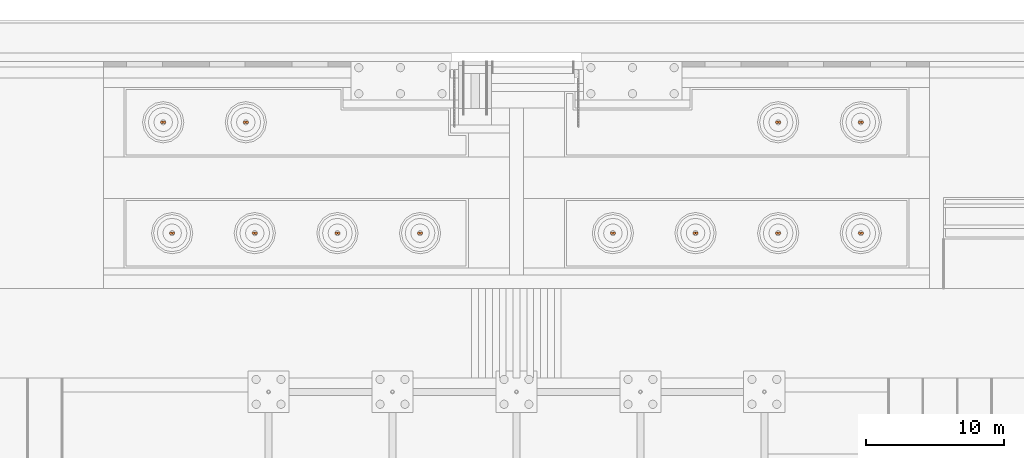
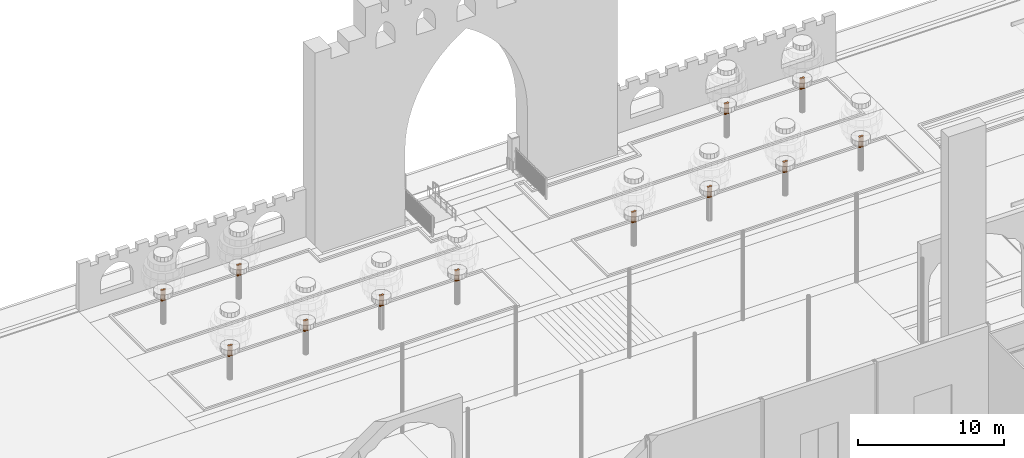
# One storey, part 250 of 250: 24 geographic elements.
"""IFC4 building model written with IfcOpenShell, lengths in metres."""

from ifc_helpers import new_model, si_unit, direction, frame, origin, place, context, subcontext, project, spatial, polyline, outline, extrude, material, type_object, element, save


model = new_model("IFC4")

# Units and contexts
model_context = context("Model", 3, precision=1e-05, world=origin(), true_north=direction((0.0, 1.0)))
body_context = subcontext(model_context, "Body", "Model", "MODEL_VIEW")
ifc_project = project(units=[si_unit("LENGTHUNIT", "METRE"), si_unit("AREAUNIT", "SQUARE_METRE"), si_unit("VOLUMEUNIT", "CUBIC_METRE"), si_unit("PLANEANGLEUNIT", "RADIAN"), si_unit("MASSUNIT", "GRAM", prefix="KILO")], contexts=[model_context])

# Site, building, storey
site_placement = place(None, origin())
site = spatial("IfcSite", under=ifc_project, at=site_placement, CompositionType="ELEMENT")
building_placement = place(site_placement, origin())
building = spatial("IfcBuilding", under=site, at=building_placement, Name="Baradari Gate Terminus", CompositionType="ELEMENT")
storey_placement = place(building_placement, origin())
storey = spatial("IfcBuildingStorey", under=building, at=storey_placement, Name="L00", CompositionType="ELEMENT", Elevation=0.0)

# Geographic elements
ifc_material = material(Name="Timber, hardwood", Category="wood")
geographic_element_type = type_object("IfcGeographicElementType", Name="Garden tree limb TR-12 200x900", PredefinedType="USERDEFINED", material=ifc_material)
geographic_element_1_placement = place(storey_placement, frame((0.0, 0.0, 1.89990234375)))
element("IfcGeographicElement", 1, at=geographic_element_1_placement, inside=storey, type_object=geographic_element_type, Name="Garden tree 1 limb 1", ObjectType="TREE", PredefinedType="USERDEFINED", context=body_context, shape_type="SweptSolid", body=[
    extrude(outline(polyline([(128.010009765625, 137.52490234375), (128.00244140625, 137.563232421875), (127.980712890625, 137.595703125), (127.9482421875, 137.617431640625), (127.909912109375, 137.625), (127.871826171875, 137.617431640625), (127.83935546875, 137.595703125), (127.817626953125, 137.563232421875), (127.81005859375, 137.52490234375), (127.817626953125, 137.48681640625), (127.83935546875, 137.454345703125), (127.871826171875, 137.4326171875), (127.909912109375, 137.425048828125), (127.9482421875, 137.4326171875), (127.980712890625, 137.454345703125), (128.00244140625, 137.48681640625), (128.010009765625, 137.52490234375)])), origin(), (0.0, 0.0, 1.0), 0.900146484375),
])
geographic_element_2_placement = place(storey_placement, frame((0.0, 0.0, 1.89990234375)))
element("IfcGeographicElement", 2, at=geographic_element_2_placement, inside=storey, type_object=geographic_element_type, Name="Garden tree 1 limb 2", ObjectType="TREE", PredefinedType="USERDEFINED", context=body_context, shape_type="SweptSolid", body=[
    extrude(outline(polyline([(128.18994140625, 137.52490234375), (128.182373046875, 137.563232421875), (128.16064453125, 137.595703125), (128.128173828125, 137.617431640625), (128.090087890625, 137.625), (128.0517578125, 137.617431640625), (128.019287109375, 137.595703125), (127.99755859375, 137.563232421875), (127.989990234375, 137.52490234375), (127.99755859375, 137.48681640625), (128.019287109375, 137.454345703125), (128.0517578125, 137.4326171875), (128.090087890625, 137.425048828125), (128.128173828125, 137.4326171875), (128.16064453125, 137.454345703125), (128.182373046875, 137.48681640625), (128.18994140625, 137.52490234375)])), origin(), (0.0, 0.0, 1.0), 0.900146484375),
])
geographic_element_3_placement = place(storey_placement, frame((0.0, 0.0, 1.89990234375)))
element("IfcGeographicElement", 3, at=geographic_element_3_placement, inside=storey, type_object=geographic_element_type, Name="Garden tree 2 limb 1", ObjectType="TREE", PredefinedType="USERDEFINED", context=body_context, shape_type="SweptSolid", body=[
    extrude(outline(polyline([(134.010009765625, 137.52490234375), (134.00244140625, 137.563232421875), (133.980712890625, 137.595703125), (133.9482421875, 137.617431640625), (133.909912109375, 137.625), (133.871826171875, 137.617431640625), (133.83935546875, 137.595703125), (133.817626953125, 137.563232421875), (133.81005859375, 137.52490234375), (133.817626953125, 137.48681640625), (133.83935546875, 137.454345703125), (133.871826171875, 137.4326171875), (133.909912109375, 137.425048828125), (133.9482421875, 137.4326171875), (133.980712890625, 137.454345703125), (134.00244140625, 137.48681640625), (134.010009765625, 137.52490234375)])), origin(), (0.0, 0.0, 1.0), 0.900146484375),
])
geographic_element_4_placement = place(storey_placement, frame((0.0, 0.0, 1.89990234375)))
element("IfcGeographicElement", 4, at=geographic_element_4_placement, inside=storey, type_object=geographic_element_type, Name="Garden tree 2 limb 2", ObjectType="TREE", PredefinedType="USERDEFINED", context=body_context, shape_type="SweptSolid", body=[
    extrude(outline(polyline([(134.18994140625, 137.52490234375), (134.182373046875, 137.563232421875), (134.16064453125, 137.595703125), (134.128173828125, 137.617431640625), (134.090087890625, 137.625), (134.0517578125, 137.617431640625), (134.019287109375, 137.595703125), (133.99755859375, 137.563232421875), (133.989990234375, 137.52490234375), (133.99755859375, 137.48681640625), (134.019287109375, 137.454345703125), (134.0517578125, 137.4326171875), (134.090087890625, 137.425048828125), (134.128173828125, 137.4326171875), (134.16064453125, 137.454345703125), (134.182373046875, 137.48681640625), (134.18994140625, 137.52490234375)])), origin(), (0.0, 0.0, 1.0), 0.900146484375),
])
geographic_element_5_placement = place(storey_placement, frame((0.0, 0.0, 1.89990234375)))
element("IfcGeographicElement", 5, at=geographic_element_5_placement, inside=storey, type_object=geographic_element_type, Name="Garden tree 3 limb 1", ObjectType="TREE", PredefinedType="USERDEFINED", context=body_context, shape_type="SweptSolid", body=[
    extrude(outline(polyline([(140.010009765625, 137.52490234375), (140.00244140625, 137.563232421875), (139.980712890625, 137.595703125), (139.9482421875, 137.617431640625), (139.909912109375, 137.625), (139.871826171875, 137.617431640625), (139.83935546875, 137.595703125), (139.817626953125, 137.563232421875), (139.81005859375, 137.52490234375), (139.817626953125, 137.48681640625), (139.83935546875, 137.454345703125), (139.871826171875, 137.4326171875), (139.909912109375, 137.425048828125), (139.9482421875, 137.4326171875), (139.980712890625, 137.454345703125), (140.00244140625, 137.48681640625), (140.010009765625, 137.52490234375)])), origin(), (0.0, 0.0, 1.0), 0.900146484375),
])
geographic_element_6_placement = place(storey_placement, frame((0.0, 0.0, 1.89990234375)))
element("IfcGeographicElement", 6, at=geographic_element_6_placement, inside=storey, type_object=geographic_element_type, Name="Garden tree 3 limb 2", ObjectType="TREE", PredefinedType="USERDEFINED", context=body_context, shape_type="SweptSolid", body=[
    extrude(outline(polyline([(140.18994140625, 137.52490234375), (140.182373046875, 137.563232421875), (140.16064453125, 137.595703125), (140.128173828125, 137.617431640625), (140.090087890625, 137.625), (140.0517578125, 137.617431640625), (140.019287109375, 137.595703125), (139.99755859375, 137.563232421875), (139.989990234375, 137.52490234375), (139.99755859375, 137.48681640625), (140.019287109375, 137.454345703125), (140.0517578125, 137.4326171875), (140.090087890625, 137.425048828125), (140.128173828125, 137.4326171875), (140.16064453125, 137.454345703125), (140.182373046875, 137.48681640625), (140.18994140625, 137.52490234375)])), origin(), (0.0, 0.0, 1.0), 0.900146484375),
])
geographic_element_7_placement = place(storey_placement, frame((0.0, 0.0, 1.89990234375)))
element("IfcGeographicElement", 7, at=geographic_element_7_placement, inside=storey, type_object=geographic_element_type, Name="Garden tree 4 limb 1", ObjectType="TREE", PredefinedType="USERDEFINED", context=body_context, shape_type="SweptSolid", body=[
    extrude(outline(polyline([(146.010009765625, 137.52490234375), (146.00244140625, 137.563232421875), (145.980712890625, 137.595703125), (145.9482421875, 137.617431640625), (145.909912109375, 137.625), (145.871826171875, 137.617431640625), (145.83935546875, 137.595703125), (145.817626953125, 137.563232421875), (145.81005859375, 137.52490234375), (145.817626953125, 137.48681640625), (145.83935546875, 137.454345703125), (145.871826171875, 137.4326171875), (145.909912109375, 137.425048828125), (145.9482421875, 137.4326171875), (145.980712890625, 137.454345703125), (146.00244140625, 137.48681640625), (146.010009765625, 137.52490234375)])), origin(), (0.0, 0.0, 1.0), 0.900146484375),
])
geographic_element_8_placement = place(storey_placement, frame((0.0, 0.0, 1.89990234375)))
element("IfcGeographicElement", 8, at=geographic_element_8_placement, inside=storey, type_object=geographic_element_type, Name="Garden tree 4 limb 2", ObjectType="TREE", PredefinedType="USERDEFINED", context=body_context, shape_type="SweptSolid", body=[
    extrude(outline(polyline([(146.18994140625, 137.52490234375), (146.182373046875, 137.563232421875), (146.16064453125, 137.595703125), (146.128173828125, 137.617431640625), (146.090087890625, 137.625), (146.0517578125, 137.617431640625), (146.019287109375, 137.595703125), (145.99755859375, 137.563232421875), (145.989990234375, 137.52490234375), (145.99755859375, 137.48681640625), (146.019287109375, 137.454345703125), (146.0517578125, 137.4326171875), (146.090087890625, 137.425048828125), (146.128173828125, 137.4326171875), (146.16064453125, 137.454345703125), (146.182373046875, 137.48681640625), (146.18994140625, 137.52490234375)])), origin(), (0.0, 0.0, 1.0), 0.900146484375),
])
geographic_element_9_placement = place(storey_placement, frame((0.0, 0.0, 1.89990234375)))
element("IfcGeographicElement", 9, at=geographic_element_9_placement, inside=storey, type_object=geographic_element_type, Name="Garden tree 5 limb 1", ObjectType="TREE", PredefinedType="USERDEFINED", context=body_context, shape_type="SweptSolid", body=[
    extrude(outline(polyline([(127.360107421875, 145.574951171875), (127.352294921875, 145.61328125), (127.330810546875, 145.645751953125), (127.29833984375, 145.66748046875), (127.260009765625, 145.675048828125), (127.2216796875, 145.66748046875), (127.189208984375, 145.645751953125), (127.167724609375, 145.61328125), (127.159912109375, 145.574951171875), (127.167724609375, 145.53662109375), (127.189208984375, 145.50439453125), (127.2216796875, 145.482666015625), (127.260009765625, 145.47509765625), (127.29833984375, 145.482666015625), (127.330810546875, 145.50439453125), (127.352294921875, 145.53662109375), (127.360107421875, 145.574951171875)])), origin(), (0.0, 0.0, 1.0), 0.900146484375),
])
geographic_element_10_placement = place(storey_placement, frame((0.0, 0.0, 1.89990234375)))
element("IfcGeographicElement", 10, at=geographic_element_10_placement, inside=storey, type_object=geographic_element_type, Name="Garden tree 5 limb 2", ObjectType="TREE", PredefinedType="USERDEFINED", context=body_context, shape_type="SweptSolid", body=[
    extrude(outline(polyline([(127.5400390625, 145.574951171875), (127.532470703125, 145.61328125), (127.5107421875, 145.645751953125), (127.478271484375, 145.66748046875), (127.43994140625, 145.675048828125), (127.401611328125, 145.66748046875), (127.369384765625, 145.645751953125), (127.34765625, 145.61328125), (127.340087890625, 145.574951171875), (127.34765625, 145.53662109375), (127.369384765625, 145.50439453125), (127.401611328125, 145.482666015625), (127.43994140625, 145.47509765625), (127.478271484375, 145.482666015625), (127.5107421875, 145.50439453125), (127.532470703125, 145.53662109375), (127.5400390625, 145.574951171875)])), origin(), (0.0, 0.0, 1.0), 0.900146484375),
])
geographic_element_11_placement = place(storey_placement, frame((0.0, 0.0, 1.89990234375)))
element("IfcGeographicElement", 11, at=geographic_element_11_placement, inside=storey, type_object=geographic_element_type, Name="Garden tree 6 limb 1", ObjectType="TREE", PredefinedType="USERDEFINED", context=body_context, shape_type="SweptSolid", body=[
    extrude(outline(polyline([(133.360107421875, 145.574951171875), (133.352294921875, 145.61328125), (133.330810546875, 145.645751953125), (133.29833984375, 145.66748046875), (133.260009765625, 145.675048828125), (133.2216796875, 145.66748046875), (133.189208984375, 145.645751953125), (133.167724609375, 145.61328125), (133.159912109375, 145.574951171875), (133.167724609375, 145.53662109375), (133.189208984375, 145.50439453125), (133.2216796875, 145.482666015625), (133.260009765625, 145.47509765625), (133.29833984375, 145.482666015625), (133.330810546875, 145.50439453125), (133.352294921875, 145.53662109375), (133.360107421875, 145.574951171875)])), origin(), (0.0, 0.0, 1.0), 0.900146484375),
])
geographic_element_12_placement = place(storey_placement, frame((0.0, 0.0, 1.89990234375)))
element("IfcGeographicElement", 12, at=geographic_element_12_placement, inside=storey, type_object=geographic_element_type, Name="Garden tree 6 limb 2", ObjectType="TREE", PredefinedType="USERDEFINED", context=body_context, shape_type="SweptSolid", body=[
    extrude(outline(polyline([(133.5400390625, 145.574951171875), (133.532470703125, 145.61328125), (133.5107421875, 145.645751953125), (133.478271484375, 145.66748046875), (133.43994140625, 145.675048828125), (133.401611328125, 145.66748046875), (133.369384765625, 145.645751953125), (133.34765625, 145.61328125), (133.340087890625, 145.574951171875), (133.34765625, 145.53662109375), (133.369384765625, 145.50439453125), (133.401611328125, 145.482666015625), (133.43994140625, 145.47509765625), (133.478271484375, 145.482666015625), (133.5107421875, 145.50439453125), (133.532470703125, 145.53662109375), (133.5400390625, 145.574951171875)])), origin(), (0.0, 0.0, 1.0), 0.900146484375),
])
geographic_element_13_placement = place(storey_placement, frame((0.0, 0.0, 1.89990234375)))
element("IfcGeographicElement", 13, at=geographic_element_13_placement, inside=storey, type_object=geographic_element_type, Name="Garden tree 7 limb 1", ObjectType="TREE", PredefinedType="USERDEFINED", context=body_context, shape_type="SweptSolid", body=[
    extrude(outline(polyline([(160.010009765625, 137.52490234375), (160.00244140625, 137.563232421875), (159.980712890625, 137.595703125), (159.9482421875, 137.617431640625), (159.909912109375, 137.625), (159.871826171875, 137.617431640625), (159.83935546875, 137.595703125), (159.817626953125, 137.563232421875), (159.81005859375, 137.52490234375), (159.817626953125, 137.48681640625), (159.83935546875, 137.454345703125), (159.871826171875, 137.4326171875), (159.909912109375, 137.425048828125), (159.9482421875, 137.4326171875), (159.980712890625, 137.454345703125), (160.00244140625, 137.48681640625), (160.010009765625, 137.52490234375)])), origin(), (0.0, 0.0, 1.0), 0.900146484375),
])
geographic_element_14_placement = place(storey_placement, frame((0.0, 0.0, 1.89990234375)))
element("IfcGeographicElement", 14, at=geographic_element_14_placement, inside=storey, type_object=geographic_element_type, Name="Garden tree 7 limb 2", ObjectType="TREE", PredefinedType="USERDEFINED", context=body_context, shape_type="SweptSolid", body=[
    extrude(outline(polyline([(160.18994140625, 137.52490234375), (160.182373046875, 137.563232421875), (160.16064453125, 137.595703125), (160.128173828125, 137.617431640625), (160.090087890625, 137.625), (160.0517578125, 137.617431640625), (160.019287109375, 137.595703125), (159.99755859375, 137.563232421875), (159.989990234375, 137.52490234375), (159.99755859375, 137.48681640625), (160.019287109375, 137.454345703125), (160.0517578125, 137.4326171875), (160.090087890625, 137.425048828125), (160.128173828125, 137.4326171875), (160.16064453125, 137.454345703125), (160.182373046875, 137.48681640625), (160.18994140625, 137.52490234375)])), origin(), (0.0, 0.0, 1.0), 0.900146484375),
])
geographic_element_15_placement = place(storey_placement, frame((0.0, 0.0, 1.89990234375)))
element("IfcGeographicElement", 15, at=geographic_element_15_placement, inside=storey, type_object=geographic_element_type, Name="Garden tree 8 limb 1", ObjectType="TREE", PredefinedType="USERDEFINED", context=body_context, shape_type="SweptSolid", body=[
    extrude(outline(polyline([(166.010009765625, 137.52490234375), (166.00244140625, 137.563232421875), (165.980712890625, 137.595703125), (165.9482421875, 137.617431640625), (165.909912109375, 137.625), (165.871826171875, 137.617431640625), (165.83935546875, 137.595703125), (165.817626953125, 137.563232421875), (165.81005859375, 137.52490234375), (165.817626953125, 137.48681640625), (165.83935546875, 137.454345703125), (165.871826171875, 137.4326171875), (165.909912109375, 137.425048828125), (165.9482421875, 137.4326171875), (165.980712890625, 137.454345703125), (166.00244140625, 137.48681640625), (166.010009765625, 137.52490234375)])), origin(), (0.0, 0.0, 1.0), 0.900146484375),
])
geographic_element_16_placement = place(storey_placement, frame((0.0, 0.0, 1.89990234375)))
element("IfcGeographicElement", 16, at=geographic_element_16_placement, inside=storey, type_object=geographic_element_type, Name="Garden tree 8 limb 2", ObjectType="TREE", PredefinedType="USERDEFINED", context=body_context, shape_type="SweptSolid", body=[
    extrude(outline(polyline([(166.18994140625, 137.52490234375), (166.182373046875, 137.563232421875), (166.16064453125, 137.595703125), (166.128173828125, 137.617431640625), (166.090087890625, 137.625), (166.0517578125, 137.617431640625), (166.019287109375, 137.595703125), (165.99755859375, 137.563232421875), (165.989990234375, 137.52490234375), (165.99755859375, 137.48681640625), (166.019287109375, 137.454345703125), (166.0517578125, 137.4326171875), (166.090087890625, 137.425048828125), (166.128173828125, 137.4326171875), (166.16064453125, 137.454345703125), (166.182373046875, 137.48681640625), (166.18994140625, 137.52490234375)])), origin(), (0.0, 0.0, 1.0), 0.900146484375),
])
geographic_element_17_placement = place(storey_placement, frame((0.0, 0.0, 1.89990234375)))
element("IfcGeographicElement", 17, at=geographic_element_17_placement, inside=storey, type_object=geographic_element_type, Name="Garden tree 9 limb 1", ObjectType="TREE", PredefinedType="USERDEFINED", context=body_context, shape_type="SweptSolid", body=[
    extrude(outline(polyline([(172.010009765625, 137.52490234375), (172.00244140625, 137.563232421875), (171.980712890625, 137.595703125), (171.9482421875, 137.617431640625), (171.909912109375, 137.625), (171.871826171875, 137.617431640625), (171.83935546875, 137.595703125), (171.817626953125, 137.563232421875), (171.81005859375, 137.52490234375), (171.817626953125, 137.48681640625), (171.83935546875, 137.454345703125), (171.871826171875, 137.4326171875), (171.909912109375, 137.425048828125), (171.9482421875, 137.4326171875), (171.980712890625, 137.454345703125), (172.00244140625, 137.48681640625), (172.010009765625, 137.52490234375)])), origin(), (0.0, 0.0, 1.0), 0.900146484375),
])
geographic_element_18_placement = place(storey_placement, frame((0.0, 0.0, 1.89990234375)))
element("IfcGeographicElement", 18, at=geographic_element_18_placement, inside=storey, type_object=geographic_element_type, Name="Garden tree 9 limb 2", ObjectType="TREE", PredefinedType="USERDEFINED", context=body_context, shape_type="SweptSolid", body=[
    extrude(outline(polyline([(172.18994140625, 137.52490234375), (172.182373046875, 137.563232421875), (172.16064453125, 137.595703125), (172.128173828125, 137.617431640625), (172.090087890625, 137.625), (172.0517578125, 137.617431640625), (172.019287109375, 137.595703125), (171.99755859375, 137.563232421875), (171.989990234375, 137.52490234375), (171.99755859375, 137.48681640625), (172.019287109375, 137.454345703125), (172.0517578125, 137.4326171875), (172.090087890625, 137.425048828125), (172.128173828125, 137.4326171875), (172.16064453125, 137.454345703125), (172.182373046875, 137.48681640625), (172.18994140625, 137.52490234375)])), origin(), (0.0, 0.0, 1.0), 0.900146484375),
])
geographic_element_19_placement = place(storey_placement, frame((0.0, 0.0, 1.89990234375)))
element("IfcGeographicElement", 19, at=geographic_element_19_placement, inside=storey, type_object=geographic_element_type, Name="Garden tree 10 limb 1", ObjectType="TREE", PredefinedType="USERDEFINED", context=body_context, shape_type="SweptSolid", body=[
    extrude(outline(polyline([(178.010009765625, 137.52490234375), (178.00244140625, 137.563232421875), (177.980712890625, 137.595703125), (177.9482421875, 137.617431640625), (177.909912109375, 137.625), (177.871826171875, 137.617431640625), (177.83935546875, 137.595703125), (177.817626953125, 137.563232421875), (177.81005859375, 137.52490234375), (177.817626953125, 137.48681640625), (177.83935546875, 137.454345703125), (177.871826171875, 137.4326171875), (177.909912109375, 137.425048828125), (177.9482421875, 137.4326171875), (177.980712890625, 137.454345703125), (178.00244140625, 137.48681640625), (178.010009765625, 137.52490234375)])), origin(), (0.0, 0.0, 1.0), 0.900146484375),
])
geographic_element_20_placement = place(storey_placement, frame((0.0, 0.0, 1.89990234375)))
element("IfcGeographicElement", 20, at=geographic_element_20_placement, inside=storey, type_object=geographic_element_type, Name="Garden tree 10 limb 2", ObjectType="TREE", PredefinedType="USERDEFINED", context=body_context, shape_type="SweptSolid", body=[
    extrude(outline(polyline([(178.18994140625, 137.52490234375), (178.182373046875, 137.563232421875), (178.16064453125, 137.595703125), (178.128173828125, 137.617431640625), (178.090087890625, 137.625), (178.0517578125, 137.617431640625), (178.019287109375, 137.595703125), (177.99755859375, 137.563232421875), (177.989990234375, 137.52490234375), (177.99755859375, 137.48681640625), (178.019287109375, 137.454345703125), (178.0517578125, 137.4326171875), (178.090087890625, 137.425048828125), (178.128173828125, 137.4326171875), (178.16064453125, 137.454345703125), (178.182373046875, 137.48681640625), (178.18994140625, 137.52490234375)])), origin(), (0.0, 0.0, 1.0), 0.900146484375),
])
geographic_element_21_placement = place(storey_placement, frame((0.0, 0.0, 1.89990234375)))
element("IfcGeographicElement", 21, at=geographic_element_21_placement, inside=storey, type_object=geographic_element_type, Name="Garden tree 11 limb 1", ObjectType="TREE", PredefinedType="USERDEFINED", context=body_context, shape_type="SweptSolid", body=[
    extrude(outline(polyline([(172.010009765625, 145.574951171875), (172.00244140625, 145.61328125), (171.980712890625, 145.645751953125), (171.9482421875, 145.66748046875), (171.909912109375, 145.675048828125), (171.871826171875, 145.66748046875), (171.83935546875, 145.645751953125), (171.817626953125, 145.61328125), (171.81005859375, 145.574951171875), (171.817626953125, 145.53662109375), (171.83935546875, 145.50439453125), (171.871826171875, 145.482666015625), (171.909912109375, 145.47509765625), (171.9482421875, 145.482666015625), (171.980712890625, 145.50439453125), (172.00244140625, 145.53662109375), (172.010009765625, 145.574951171875)])), origin(), (0.0, 0.0, 1.0), 0.900146484375),
])
geographic_element_22_placement = place(storey_placement, frame((0.0, 0.0, 1.89990234375)))
element("IfcGeographicElement", 22, at=geographic_element_22_placement, inside=storey, type_object=geographic_element_type, Name="Garden tree 11 limb 2", ObjectType="TREE", PredefinedType="USERDEFINED", context=body_context, shape_type="SweptSolid", body=[
    extrude(outline(polyline([(172.18994140625, 145.574951171875), (172.182373046875, 145.61328125), (172.16064453125, 145.645751953125), (172.128173828125, 145.66748046875), (172.090087890625, 145.675048828125), (172.0517578125, 145.66748046875), (172.019287109375, 145.645751953125), (171.99755859375, 145.61328125), (171.989990234375, 145.574951171875), (171.99755859375, 145.53662109375), (172.019287109375, 145.50439453125), (172.0517578125, 145.482666015625), (172.090087890625, 145.47509765625), (172.128173828125, 145.482666015625), (172.16064453125, 145.50439453125), (172.182373046875, 145.53662109375), (172.18994140625, 145.574951171875)])), origin(), (0.0, 0.0, 1.0), 0.900146484375),
])
geographic_element_23_placement = place(storey_placement, frame((0.0, 0.0, 1.89990234375)))
element("IfcGeographicElement", 23, at=geographic_element_23_placement, inside=storey, type_object=geographic_element_type, Name="Garden tree 12 limb 1", ObjectType="TREE", PredefinedType="USERDEFINED", context=body_context, shape_type="SweptSolid", body=[
    extrude(outline(polyline([(178.010009765625, 145.574951171875), (178.00244140625, 145.61328125), (177.980712890625, 145.645751953125), (177.9482421875, 145.66748046875), (177.909912109375, 145.675048828125), (177.871826171875, 145.66748046875), (177.83935546875, 145.645751953125), (177.817626953125, 145.61328125), (177.81005859375, 145.574951171875), (177.817626953125, 145.53662109375), (177.83935546875, 145.50439453125), (177.871826171875, 145.482666015625), (177.909912109375, 145.47509765625), (177.9482421875, 145.482666015625), (177.980712890625, 145.50439453125), (178.00244140625, 145.53662109375), (178.010009765625, 145.574951171875)])), origin(), (0.0, 0.0, 1.0), 0.900146484375),
])
geographic_element_24_placement = place(storey_placement, frame((0.0, 0.0, 1.89990234375)))
element("IfcGeographicElement", 24, at=geographic_element_24_placement, inside=storey, type_object=geographic_element_type, Name="Garden tree 12 limb 2", ObjectType="TREE", PredefinedType="USERDEFINED", context=body_context, shape_type="SweptSolid", body=[
    extrude(outline(polyline([(178.18994140625, 145.574951171875), (178.182373046875, 145.61328125), (178.16064453125, 145.645751953125), (178.128173828125, 145.66748046875), (178.090087890625, 145.675048828125), (178.0517578125, 145.66748046875), (178.019287109375, 145.645751953125), (177.99755859375, 145.61328125), (177.989990234375, 145.574951171875), (177.99755859375, 145.53662109375), (178.019287109375, 145.50439453125), (178.0517578125, 145.482666015625), (178.090087890625, 145.47509765625), (178.128173828125, 145.482666015625), (178.16064453125, 145.50439453125), (178.182373046875, 145.53662109375), (178.18994140625, 145.574951171875)])), origin(), (0.0, 0.0, 1.0), 0.900146484375),
])

save(model, "model.ifc")
